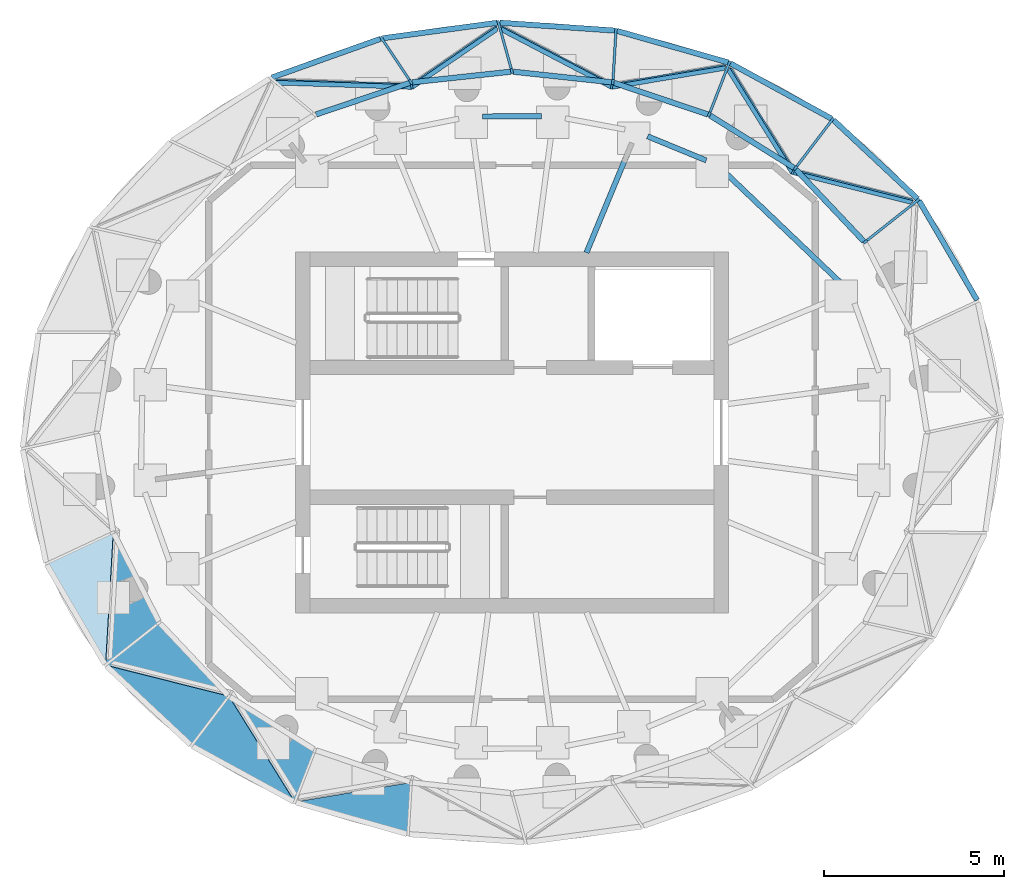
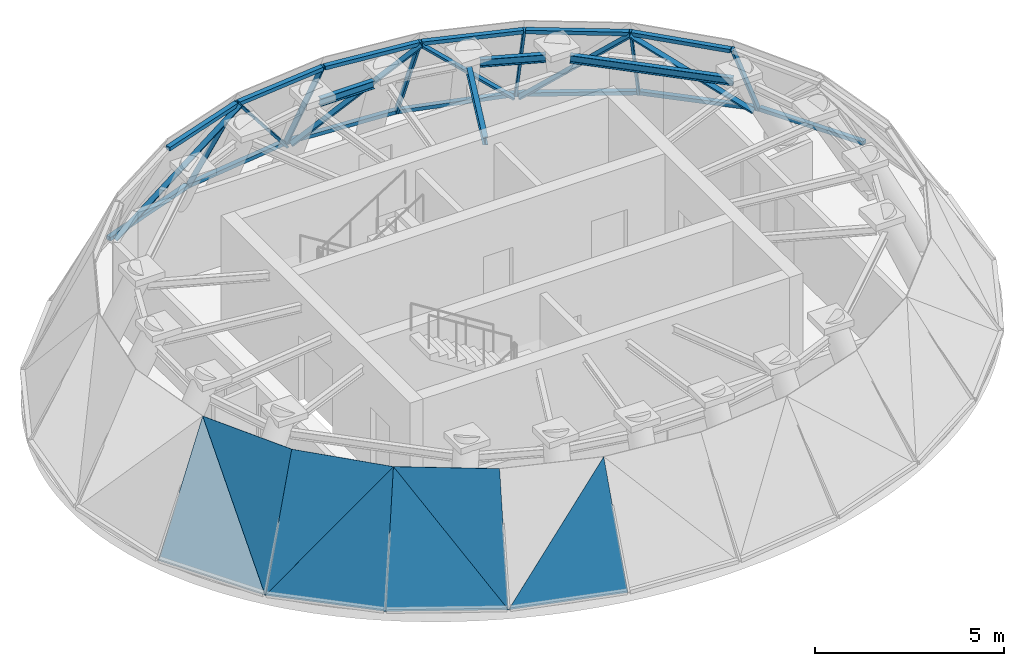
# One storey, part 4 of 8: 25 members, 7 plates, 4 beams, 20 elements without a shape of their own.
"""IFC4 building model written with IfcOpenShell, lengths in metres."""

from ifc_helpers import new_model, si_unit, direction, frame, origin, origin_2d, place, context, subcontext, project, spatial, line, indexed_curve, rectangle, i_section, outline, extrude, source, transform, mapped, material, layer, layer_set, material_profile, profile_set, type_object, element, aggregate, save


model = new_model("IFC4")

# Units and contexts
model_context = context("Model", 3, precision=1e-05, world=origin(), true_north=direction((0.0, 1.0)))
body_context = subcontext(model_context, "Body", "Model", "MODEL_VIEW")
ifc_project = project(units=[si_unit("LENGTHUNIT", "METRE"), si_unit("AREAUNIT", "SQUARE_METRE"), si_unit("VOLUMEUNIT", "CUBIC_METRE"), si_unit("PLANEANGLEUNIT", "RADIAN"), si_unit("MASSUNIT", "GRAM", prefix="KILO")], contexts=[model_context])

# Site, building, storey
site_placement = place(None, origin())
site = spatial("IfcSite", under=ifc_project, at=site_placement, CompositionType="ELEMENT")
building_placement = place(site_placement, origin())
building = spatial("IfcBuilding", under=site, at=building_placement, Name="Spindrift Exchange Tower", CompositionType="ELEMENT")
storey_placement = place(building_placement, frame((0.0, 0.0, 283.60009765625)))
storey = spatial("IfcBuildingStorey", under=building, at=storey_placement, Name="L70", CompositionType="ELEMENT", Elevation=283.60009765625)

# Beams
ifc_material_1 = material(Name="Steel Grade 300", Category="steel")
ifc_material_profile_1 = material_profile(ifc_material_1, i_section(OverallWidth=0.14599609375, OverallDepth=0.251953125, WebThickness=0.006103515625, FlangeThickness=0.008544921875, FilletRadius=0.011962890625, at=origin_2d()), Name="250UB31.4")
ifc_profile_set_1 = profile_set([ifc_material_profile_1], Name="Steel Grade 300")
beam_type_1 = type_object("IfcBeamType", Name="Floor Beam 250UB31.4 Steel Grade 300", PredefinedType="BEAM", material=ifc_profile_set_1)
shared_shape_1 = source(origin(), body_context, "Body", "SweptSolid", [
    extrude(i_section(OverallWidth=0.14599609375, OverallDepth=0.251953125, WebThickness=0.006103515625, FlangeThickness=0.008544921875, FilletRadius=0.011962890625, at=origin_2d()), origin(), (0.0, 0.0, 1.0), 3.297119140625),
])
beam_1_placement = place(storey_placement, frame((54.0634765625, 52.9814453125, 3.093994140625), z_axis=(0.38267441848, 0.923883266133, 0.0), x_axis=(-0.923883266133, 0.38267441848, 0.0)))
element("IfcBeam", 1, at=beam_1_placement, inside=storey, type_object=beam_type_1, Name="L70 radial beam R05A", PredefinedType="BEAM", context=body_context, shape_type="MappedRepresentation", body=[
    mapped(shared_shape_1, transform((0.0, 0.0, 0.0), scale=1.0)),
])
ifc_material_profile_2 = material_profile(ifc_material_1, i_section(OverallWidth=0.14599609375, OverallDepth=0.251953125, WebThickness=0.006103515625, FlangeThickness=0.008544921875, FilletRadius=0.011962890625, at=origin_2d()), Name="250UB31.4")
ifc_profile_set_2 = profile_set([ifc_material_profile_2], Name="Steel Grade 300")
beam_type_2 = type_object("IfcBeamType", Name="Edge Beam 250UB31.4 Steel Grade 300", PredefinedType="SPANDREL", material=ifc_profile_set_2)
shared_shape_2 = source(origin(), body_context, "Body", "SweptSolid", [
    extrude(i_section(OverallWidth=0.14599609375, OverallDepth=0.251953125, WebThickness=0.006103515625, FlangeThickness=0.008544921875, FilletRadius=0.011962890625, at=origin_2d()), origin(), (0.0, 0.0, 1.0), 4.44677734375),
])
beam_2_placement = place(storey_placement, frame((61.14306640625, 52.114013671875, 3.093994140625), z_axis=(-0.723331861731, 0.690500555977, 0.0), x_axis=(-0.690500555977, -0.723331861731, 0.0)))
element("IfcBeam", 2, at=beam_2_placement, inside=storey, type_object=beam_type_2, Name="L70 edge beam E02", PredefinedType="SPANDREL", context=body_context, shape_type="MappedRepresentation", body=[
    mapped(shared_shape_2, transform((0.0, 0.0, 0.0), scale=1.0)),
])
shared_shape_3 = source(origin(), body_context, "Body", "SweptSolid", [
    extrude(i_section(OverallWidth=0.14599609375, OverallDepth=0.251953125, WebThickness=0.006103515625, FlangeThickness=0.008544921875, FilletRadius=0.011962890625, at=origin_2d()), origin(), (0.0, 0.0, 1.0), 1.75830078125),
])
beam_3_placement = place(storey_placement, frame((57.382568359375, 55.5380859375, 3.093994140625), z_axis=(-0.924793086423, 0.380470428949, 0.0), x_axis=(-0.380470428949, -0.924793086423, 0.0)))
element("IfcBeam", 3, at=beam_3_placement, inside=storey, type_object=beam_type_2, Name="L70 edge beam E04", PredefinedType="SPANDREL", context=body_context, shape_type="MappedRepresentation", body=[
    mapped(shared_shape_3, transform((0.0, 0.0, 0.0), scale=1.0)),
])
shared_shape_4 = source(origin(), body_context, "Body", "SweptSolid", [
    extrude(i_section(OverallWidth=0.14599609375, OverallDepth=0.251953125, WebThickness=0.006103515625, FlangeThickness=0.008544921875, FilletRadius=0.011962890625, at=origin_2d()), origin(), (0.0, 0.0, 1.0), 1.646728515625),
])
beam_4_placement = place(storey_placement, frame((52.823974609375, 56.764404296875, 3.093994140625), z_axis=(-0.999990108955, -0.004447695073, 0.0), x_axis=(0.004447695073, -0.999990108955, 0.0)))
element("IfcBeam", 4, at=beam_4_placement, inside=storey, type_object=beam_type_2, Name="L70 edge beam E06", PredefinedType="SPANDREL", context=body_context, shape_type="MappedRepresentation", body=[
    mapped(shared_shape_4, transform((0.0, 0.0, 0.0), scale=1.0)),
])

# Curtain wall, member
ifc_material_2 = material(Name="Fritted laminated glass with bronze frame", Category="glass")
ifc_layer_1 = layer(ifc_material_2, 0.14990234375)
ifc_layer_set_1 = layer_set([ifc_layer_1], Name="CROWN BRONZE RAKED GLAZED WALL")
curtain_wall_type = type_object("IfcCurtainWallType", Name="CROWN BRONZE RAKED GLAZED WALL", PredefinedType="NOTDEFINED", material=ifc_layer_set_1)
curtain_wall_1_placement = place(storey_placement, origin())
curtain_wall_1 = element("IfcCurtainWall", 5, at=curtain_wall_1_placement, inside=storey, type_object=curtain_wall_type, Name="L70 Crown Bronze Raked Glazed Wall facet 3", PredefinedType="NOTDEFINED")
ifc_material_3 = material(Name="Bronze anodised aluminium", Category="aluminium")
ifc_material_profile_3 = material_profile(ifc_material_3, rectangle(XDim=0.14990234375, YDim=0.1201171875, at=origin_2d()), Name="CROWN BRONZE RAKED GLAZED WALL TRANSOM 150X120")
ifc_profile_set_3 = profile_set([ifc_material_profile_3], Name="Bronze anodised aluminium")
member_type_1 = type_object("IfcMemberType", Name="CROWN BRONZE RAKED GLAZED WALL TRANSOM 150X120", PredefinedType="USERDEFINED", material=ifc_profile_set_3)
shared_shape_5 = source(origin(), body_context, "Body", "SweptSolid", [
    extrude(rectangle(XDim=0.14990234375, YDim=0.1201171875, at=origin_2d()), origin(), (0.0, 0.0, 1.0), 3.1875),
])
member_1_placement = place(storey_placement, frame((63.281494140625, 54.4189453125, 0.059814453125), z_axis=(0.504356688365, -0.863495414522, 0.0), x_axis=(0.863495414522, 0.504356688365, 0.0)))
member_1 = element("IfcMember", 6, at=member_1_placement, type_object=member_type_1, Name="L70 transom CW-R.2a", ObjectType="TRANSOM", PredefinedType="USERDEFINED", context=body_context, shape_type="MappedRepresentation", body=[
    mapped(shared_shape_5, transform((0.0, 0.0, 0.0), scale=1.0)),
])
aggregate(curtain_wall_1, [member_1])

curtain_wall_2_placement = place(storey_placement, origin())
curtain_wall_2 = element("IfcCurtainWall", 7, at=curtain_wall_2_placement, inside=storey, type_object=curtain_wall_type, Name="L70 Crown Bronze Raked Glazed Wall facet 5", PredefinedType="NOTDEFINED")
shared_shape_6 = source(origin(), body_context, "Body", "SweptSolid", [
    extrude(rectangle(XDim=0.14990234375, YDim=0.1201171875, at=origin_2d()), origin(), (0.0, 0.0, 1.0), 3.1904296875),
])
member_2_placement = place(storey_placement, frame((63.23828125, 54.47314453125, 0.059814453125), z_axis=(-0.729802037527, 0.683658530278, 0.0), x_axis=(-0.683658530278, -0.729802037527, 0.0)))
member_2 = element("IfcMember", 8, at=member_2_placement, type_object=member_type_1, Name="L70 transom CW-R.3a", ObjectType="TRANSOM", PredefinedType="USERDEFINED", context=body_context, shape_type="MappedRepresentation", body=[
    mapped(shared_shape_6, transform((0.0, 0.0, 0.0), scale=1.0)),
])

curtain_wall_3_placement = place(storey_placement, origin())
curtain_wall_3 = element("IfcCurtainWall", 9, at=curtain_wall_3_placement, inside=storey, type_object=curtain_wall_type, Name="L70 Crown Bronze Raked Glazed Wall facet 7", PredefinedType="NOTDEFINED")
shared_shape_7 = source(origin(), body_context, "Body", "SweptSolid", [
    extrude(rectangle(XDim=0.14990234375, YDim=0.1201171875, at=origin_2d()), origin(), (0.0, 0.0, 1.0), 3.192626953125),
])
member_3_placement = place(storey_placement, frame((58.052490234375, 58.227294921875, 0.059814453125), z_axis=(0.877316308591, -0.479912590667, 0.0), x_axis=(0.479912590667, 0.877316308591, 0.0)))
member_3 = element("IfcMember", 10, at=member_3_placement, type_object=member_type_1, Name="L70 transom CW-R.4a", ObjectType="TRANSOM", PredefinedType="USERDEFINED", context=body_context, shape_type="MappedRepresentation", body=[
    mapped(shared_shape_7, transform((0.0, 0.0, 0.0), scale=1.0)),
])

curtain_wall_4_placement = place(storey_placement, origin())
curtain_wall_4 = element("IfcCurtainWall", 11, at=curtain_wall_4_placement, inside=storey, type_object=curtain_wall_type, Name="L70 Crown Bronze Raked Glazed Wall facet 9", PredefinedType="NOTDEFINED")
shared_shape_8 = source(origin(), body_context, "Body", "SweptSolid", [
    extrude(rectangle(XDim=0.14990234375, YDim=0.1201171875, at=origin_2d()), origin(), (0.0, 0.0, 1.0), 3.194091796875),
])
member_4_placement = place(storey_placement, frame((57.988037109375, 58.253662109375, 0.059814453125), z_axis=(-0.962092972566, 0.27272167523, 0.0), x_axis=(-0.27272167523, -0.962092972566, 0.0)))
member_4 = element("IfcMember", 12, at=member_4_placement, type_object=member_type_1, Name="L70 transom CW-R.5a", ObjectType="TRANSOM", PredefinedType="USERDEFINED", context=body_context, shape_type="MappedRepresentation", body=[
    mapped(shared_shape_8, transform((0.0, 0.0, 0.0), scale=1.0)),
])

curtain_wall_5_placement = place(storey_placement, origin())
curtain_wall_5 = element("IfcCurtainWall", 13, at=curtain_wall_5_placement, inside=storey, type_object=curtain_wall_type, Name="L70 Crown Bronze Raked Glazed Wall facet 15", PredefinedType="NOTDEFINED")
member_5_placement = place(storey_placement, frame((45.34716796875, 57.83544921875, 0.059814453125), z_axis=(0.941969958501, 0.335697180926, 0.0), x_axis=(-0.335697180926, 0.941969958501, 0.0)))
member_5 = element("IfcMember", 14, at=member_5_placement, type_object=member_type_1, Name="L70 transom CW-R.8a", ObjectType="TRANSOM", PredefinedType="USERDEFINED", context=body_context, shape_type="MappedRepresentation", body=[
    mapped(shared_shape_8, transform((0.0, 0.0, 0.0), scale=1.0)),
])

curtain_wall_6_placement = place(storey_placement, origin())
curtain_wall_6 = element("IfcCurtainWall", 15, at=curtain_wall_6_placement, inside=storey, type_object=curtain_wall_type, Name="L70 Crown Bronze Raked Glazed Wall facet 11", PredefinedType="NOTDEFINED")
shared_shape_9 = source(origin(), body_context, "Body", "SweptSolid", [
    extrude(rectangle(XDim=0.14990234375, YDim=0.1201171875, at=origin_2d()), origin(), (0.0, 0.0, 1.0), 3.19482421875),
])
member_6_placement = place(storey_placement, frame((51.6591796875, 59.3544921875, 0.059814453125), z_axis=(0.997668698763, -0.068243442972, 0.0), x_axis=(0.068243442972, 0.997668698763, 0.0)))
member_6 = element("IfcMember", 16, at=member_6_placement, type_object=member_type_1, Name="L70 transom CW-R.6a", ObjectType="TRANSOM", PredefinedType="USERDEFINED", context=body_context, shape_type="MappedRepresentation", body=[
    mapped(shared_shape_9, transform((0.0, 0.0, 0.0), scale=1.0)),
])

curtain_wall_7_placement = place(storey_placement, origin())
curtain_wall_7 = element("IfcCurtainWall", 17, at=curtain_wall_7_placement, inside=storey, type_object=curtain_wall_type, Name="L70 Crown Bronze Raked Glazed Wall facet 13", PredefinedType="NOTDEFINED")
member_7_placement = place(storey_placement, frame((51.589599609375, 59.35205078125, 0.059814453125), z_axis=(-0.990986673488, -0.133960490332, 0.0), x_axis=(0.133960490332, -0.990986673488, 0.0)))
member_7 = element("IfcMember", 18, at=member_7_placement, type_object=member_type_1, Name="L70 transom CW-R.7a", ObjectType="TRANSOM", PredefinedType="USERDEFINED", context=body_context, shape_type="MappedRepresentation", body=[
    mapped(shared_shape_9, transform((0.0, 0.0, 0.0), scale=1.0)),
])

# Curtain wall, members
curtain_wall_8_placement = place(storey_placement, origin())
curtain_wall_8 = element("IfcCurtainWall", 19, at=curtain_wall_8_placement, inside=storey, type_object=curtain_wall_type, Name="L70 Crown Bronze Raked Glazed Wall facet 6", PredefinedType="NOTDEFINED")
shared_shape_10 = source(origin(), body_context, "Body", "SweptSolid", [
    extrude(rectangle(XDim=0.14990234375, YDim=0.1201171875, at=origin_2d()), origin(), (0.0, 0.0, 1.0), 2.7392578125),
])
member_8_placement = place(storey_placement, frame((61.749755859375, 53.295166015625, 3.159912109375), z_axis=(-0.686631384207, 0.727005737406, 0.0), x_axis=(-0.727005737406, -0.686631384207, 0.0)))
member_8 = element("IfcMember", 20, at=member_8_placement, type_object=member_type_1, Name="L70 transom CW-R.3b", ObjectType="TRANSOM", PredefinedType="USERDEFINED", context=body_context, shape_type="MappedRepresentation", body=[
    mapped(shared_shape_10, transform((0.0, 0.0, 0.0), scale=1.0)),
])
ifc_material_profile_4 = material_profile(ifc_material_3, rectangle(XDim=0.070068359375, YDim=0.14990234375, at=origin_2d()), Name="CROWN BRONZE RAKED GLAZED WALL MULLION 70X150")
ifc_profile_set_4 = profile_set([ifc_material_profile_4], Name="Bronze anodised aluminium")
member_type_2 = type_object("IfcMemberType", Name="CROWN BRONZE RAKED GLAZED WALL MULLION 70X150", PredefinedType="MULLION", material=ifc_profile_set_4)
shared_shape_11 = source(origin(), body_context, "Body", "SweptSolid", [
    extrude(rectangle(XDim=0.070068359375, YDim=0.14990234375, at=origin_2d()), origin(), (0.0, 0.0, 1.0), 3.650390625),
])
member_9_placement = place(storey_placement, frame((63.24609375, 54.43505859375, 0.0380859375), z_axis=(-0.39853740003, -0.315405668492, 0.86121263638), x_axis=(0.620578227997, -0.78414454212, 0.0)))
member_9 = element("IfcMember", 21, at=member_9_placement, type_object=member_type_2, Name="L70 mullion CW-R.3", PredefinedType="MULLION", context=body_context, shape_type="MappedRepresentation", body=[
    mapped(shared_shape_11, transform((0.0, 0.0, 0.0), scale=1.0)),
])
aggregate(curtain_wall_8, [member_8, member_9])

# Member
shared_shape_12 = source(origin(), body_context, "Body", "SweptSolid", [
    extrude(rectangle(XDim=0.070068359375, YDim=0.14990234375, at=origin_2d()), origin(), (0.0, 0.0, 1.0), 4.611083984375),
])
member_10_placement = place(storey_placement, frame((63.063720703125, 54.3994140625, 0.055419921875), z_axis=(-0.716013641769, 0.180710978286, 0.674290743765), x_axis=(0.3424626982, -0.75076783375, 0.564860124409)))
member_10 = element("IfcMember", 22, at=member_10_placement, type_object=member_type_2, Name="L70 glazing bar CW-R.3", PredefinedType="MULLION", context=body_context, shape_type="MappedRepresentation", body=[
    mapped(shared_shape_12, transform((0.0, 0.0, 0.0), scale=1.0)),
])

aggregate(curtain_wall_2, [member_2, member_10])

# Curtain wall, member
curtain_wall_9_placement = place(storey_placement, origin())
curtain_wall_9 = element("IfcCurtainWall", 23, at=curtain_wall_9_placement, inside=storey, type_object=curtain_wall_type, Name="L70 Crown Bronze Raked Glazed Wall facet 8", PredefinedType="NOTDEFINED")
shared_shape_13 = source(origin(), body_context, "Body", "SweptSolid", [
    extrude(rectangle(XDim=0.14990234375, YDim=0.1201171875, at=origin_2d()), origin(), (0.0, 0.0, 1.0), 2.740966796875),
])
member_11_placement = place(storey_placement, frame((57.490234375, 56.7822265625, 3.159912109375), z_axis=(0.848233410833, -0.529622583305, 0.0), x_axis=(0.529622583305, 0.848233410833, 0.0)))
member_11 = element("IfcMember", 24, at=member_11_placement, type_object=member_type_1, Name="L70 transom CW-R.4b", ObjectType="TRANSOM", PredefinedType="USERDEFINED", context=body_context, shape_type="MappedRepresentation", body=[
    mapped(shared_shape_13, transform((0.0, 0.0, 0.0), scale=1.0)),
])

# Member
shared_shape_14 = source(origin(), body_context, "Body", "SweptSolid", [
    extrude(rectangle(XDim=0.070068359375, YDim=0.14990234375, at=origin_2d()), origin(), (0.0, 0.0, 1.0), 3.569091796875),
])
member_12_placement = place(storey_placement, frame((60.872802734375, 56.6630859375, 0.03515625), z_axis=(-0.28484315824, -0.374386792759, 0.882439178987), x_axis=(0.795845450479, -0.605499809208, 0.0)))
member_12 = element("IfcMember", 25, at=member_12_placement, type_object=member_type_2, Name="L70 mullion CW-R.4", PredefinedType="MULLION", context=body_context, shape_type="MappedRepresentation", body=[
    mapped(shared_shape_14, transform((0.0, 0.0, 0.0), scale=1.0)),
])

aggregate(curtain_wall_3, [member_3, member_12])

shared_shape_15 = source(origin(), body_context, "Body", "SweptSolid", [
    extrude(rectangle(XDim=0.070068359375, YDim=0.14990234375, at=origin_2d()), origin(), (0.0, 0.0, 1.0), 4.560302734375),
])
member_13_placement = place(storey_placement, frame((58.024658203125, 58.04638671875, 0.0546875), z_axis=(0.386102756809, -0.621072945334, 0.682050626976), x_axis=(0.794454765519, -0.151871829657, -0.588027697392)))
member_13 = element("IfcMember", 26, at=member_13_placement, type_object=member_type_2, Name="L70 glazing bar CW-R.4", PredefinedType="MULLION", context=body_context, shape_type="MappedRepresentation", body=[
    mapped(shared_shape_15, transform((0.0, 0.0, 0.0), scale=1.0)),
])

aggregate(curtain_wall_9, [member_11, member_13])

# Curtain wall, member
curtain_wall_10_placement = place(storey_placement, origin())
curtain_wall_10 = element("IfcCurtainWall", 27, at=curtain_wall_10_placement, inside=storey, type_object=curtain_wall_type, Name="L70 Crown Bronze Raked Glazed Wall facet 10", PredefinedType="NOTDEFINED")
shared_shape_16 = source(origin(), body_context, "Body", "SweptSolid", [
    extrude(rectangle(XDim=0.14990234375, YDim=0.1201171875, at=origin_2d()), origin(), (0.0, 0.0, 1.0), 2.7421875),
])
member_14_placement = place(storey_placement, frame((57.427490234375, 56.81201171875, 3.159912109375), z_axis=(-0.947510486601, 0.319724690602, 0.0), x_axis=(-0.319724690602, -0.947510486601, 0.0)))
member_14 = element("IfcMember", 28, at=member_14_placement, type_object=member_type_1, Name="L70 transom CW-R.5b", ObjectType="TRANSOM", PredefinedType="USERDEFINED", context=body_context, shape_type="MappedRepresentation", body=[
    mapped(shared_shape_16, transform((0.0, 0.0, 0.0), scale=1.0)),
])

curtain_wall_11_placement = place(storey_placement, origin())
curtain_wall_11 = element("IfcCurtainWall", 29, at=curtain_wall_11_placement, inside=storey, type_object=curtain_wall_type, Name="L70 Crown Bronze Raked Glazed Wall facet 12", PredefinedType="NOTDEFINED")
member_15_placement = place(storey_placement, frame((52.034912109375, 57.996337890625, 3.159912109375), z_axis=(0.994286227909, -0.106746882814, 0.0), x_axis=(0.106746882814, 0.994286227909, 0.0)))
member_15 = element("IfcMember", 30, at=member_15_placement, type_object=member_type_1, Name="L70 transom CW-R.6b", ObjectType="TRANSOM", PredefinedType="USERDEFINED", context=body_context, shape_type="MappedRepresentation", body=[
    mapped(shared_shape_16, transform((0.0, 0.0, 0.0), scale=1.0)),
])

curtain_wall_12_placement = place(storey_placement, origin())
curtain_wall_12 = element("IfcCurtainWall", 31, at=curtain_wall_12_placement, inside=storey, type_object=curtain_wall_type, Name="L70 Crown Bronze Raked Glazed Wall facet 14", PredefinedType="NOTDEFINED")
member_16_placement = place(storey_placement, frame((51.965087890625, 57.996337890625, 3.159912109375), z_axis=(-0.994286227909, -0.106746882814, 0.0), x_axis=(0.106746882814, -0.994286227909, 0.0)))
member_16 = element("IfcMember", 32, at=member_16_placement, type_object=member_type_1, Name="L70 transom CW-R.7b", ObjectType="TRANSOM", PredefinedType="USERDEFINED", context=body_context, shape_type="MappedRepresentation", body=[
    mapped(shared_shape_16, transform((0.0, 0.0, 0.0), scale=1.0)),
])

curtain_wall_13_placement = place(storey_placement, origin())
curtain_wall_13 = element("IfcCurtainWall", 33, at=curtain_wall_13_placement, inside=storey, type_object=curtain_wall_type, Name="L70 Crown Bronze Raked Glazed Wall facet 16", PredefinedType="NOTDEFINED")
member_17_placement = place(storey_placement, frame((46.572509765625, 56.81201171875, 3.159912109375), z_axis=(0.947510486601, 0.319724690602, 0.0), x_axis=(-0.319724690602, 0.947510486601, 0.0)))
member_17 = element("IfcMember", 34, at=member_17_placement, type_object=member_type_1, Name="L70 transom CW-R.8b", ObjectType="TRANSOM", PredefinedType="USERDEFINED", context=body_context, shape_type="MappedRepresentation", body=[
    mapped(shared_shape_16, transform((0.0, 0.0, 0.0), scale=1.0)),
])

# Member
shared_shape_17 = source(origin(), body_context, "Body", "SweptSolid", [
    extrude(rectangle(XDim=0.070068359375, YDim=0.14990234375, at=origin_2d()), origin(), (0.0, 0.0, 1.0), 3.5009765625),
])
member_18_placement = place(storey_placement, frame((58.01611328125, 58.2294921875, 0.032470703125), z_axis=(-0.157048162926, -0.403917832889, 0.901213769755), x_axis=(0.932028828528, -0.362384137059, 0.0)))
member_18 = element("IfcMember", 35, at=member_18_placement, type_object=member_type_2, Name="L70 mullion CW-R.5", PredefinedType="MULLION", context=body_context, shape_type="MappedRepresentation", body=[
    mapped(shared_shape_17, transform((0.0, 0.0, 0.0), scale=1.0)),
])

aggregate(curtain_wall_10, [member_14, member_18])

shared_shape_18 = source(origin(), body_context, "Body", "SweptSolid", [
    extrude(rectangle(XDim=0.070068359375, YDim=0.14990234375, at=origin_2d()), origin(), (0.0, 0.0, 1.0), 4.437744140625),
])
member_19_placement = place(storey_placement, frame((57.88427734375, 58.114990234375, 0.05322265625), z_axis=(-0.70269725044, -0.11855574843, 0.701541950804), x_axis=(0.663714105117, -0.464450925581, 0.586318108534)))
member_19 = element("IfcMember", 36, at=member_19_placement, type_object=member_type_2, Name="L70 glazing bar CW-R.5", PredefinedType="MULLION", context=body_context, shape_type="MappedRepresentation", body=[
    mapped(shared_shape_18, transform((0.0, 0.0, 0.0), scale=1.0)),
])

aggregate(curtain_wall_4, [member_4, member_19])

shared_shape_19 = source(origin(), body_context, "Body", "SweptSolid", [
    extrude(rectangle(XDim=0.070068359375, YDim=0.14990234375, at=origin_2d()), origin(), (0.0, 0.0, 1.0), 3.458984375),
])
member_20_placement = place(storey_placement, frame((54.880615234375, 59.12060546875, 0.030517578125), z_axis=(-0.024138887738, -0.406832014393, 0.913184004549), x_axis=(0.998244384453, -0.05922962864, 0.0)))
member_20 = element("IfcMember", 37, at=member_20_placement, type_object=member_type_2, Name="L70 mullion CW-R.6", PredefinedType="MULLION", context=body_context, shape_type="MappedRepresentation", body=[
    mapped(shared_shape_19, transform((0.0, 0.0, 0.0), scale=1.0)),
])

aggregate(curtain_wall_6, [member_6, member_20])

shared_shape_20 = source(origin(), body_context, "Body", "SweptSolid", [
    extrude(rectangle(XDim=0.070068359375, YDim=0.14990234375, at=origin_2d()), origin(), (0.0, 0.0, 1.0), 4.647216796875),
])
member_21_placement = place(storey_placement, frame((51.714599609375, 59.1865234375, 0.0556640625), z_axis=(0.65888872701, -0.344206581037, 0.668870297584), x_axis=(0.746142352211, 0.186058154687, -0.63926047376)))
member_21 = element("IfcMember", 38, at=member_21_placement, type_object=member_type_2, Name="L70 glazing bar CW-R.6", PredefinedType="MULLION", context=body_context, shape_type="MappedRepresentation", body=[
    mapped(shared_shape_20, transform((0.0, 0.0, 0.0), scale=1.0)),
])

aggregate(curtain_wall_11, [member_15, member_21])

shared_shape_21 = source(origin(), body_context, "Body", "SweptSolid", [
    extrude(rectangle(XDim=0.070068359375, YDim=0.14990234375, at=origin_2d()), origin(), (0.0, 0.0, 1.0), 3.448974609375),
])
member_22_placement = place(storey_placement, frame((51.627685546875, 59.343994140625, 0.02978515625), z_axis=(0.106960092311, -0.386004886414, 0.916274940352), x_axis=(0.963687352885, 0.267033117588, 0.0)))
member_22 = element("IfcMember", 39, at=member_22_placement, type_object=member_type_2, Name="L70 mullion CW-R.7", PredefinedType="MULLION", context=body_context, shape_type="MappedRepresentation", body=[
    mapped(shared_shape_21, transform((0.0, 0.0, 0.0), scale=1.0)),
])

aggregate(curtain_wall_12, [member_16, member_22])

shared_shape_22 = source(origin(), body_context, "Body", "SweptSolid", [
    extrude(rectangle(XDim=0.070068359375, YDim=0.14990234375, at=origin_2d()), origin(), (0.0, 0.0, 1.0), 4.21923828125),
])
member_23_placement = place(storey_placement, frame((51.566162109375, 59.189697265625, 0.05029296875), z_axis=(-0.555710675391, -0.380387544775, 0.739250269554), x_axis=(0.82189209659, -0.117436036057, 0.557406637024)))
member_23 = element("IfcMember", 40, at=member_23_placement, type_object=member_type_2, Name="L70 glazing bar CW-R.7", PredefinedType="MULLION", context=body_context, shape_type="MappedRepresentation", body=[
    mapped(shared_shape_22, transform((0.0, 0.0, 0.0), scale=1.0)),
])

aggregate(curtain_wall_7, [member_7, member_23])

shared_shape_23 = source(origin(), body_context, "Body", "SweptSolid", [
    extrude(rectangle(XDim=0.070068359375, YDim=0.14990234375, at=origin_2d()), origin(), (0.0, 0.0, 1.0), 3.4697265625),
])
member_24_placement = place(storey_placement, frame((48.39697265625, 58.90771484375, 0.031005859375), z_axis=(0.230220227479, -0.344697094872, 0.910045361313), x_axis=(0.831579932971, 0.555405090974, 0.0)))
member_24 = element("IfcMember", 41, at=member_24_placement, type_object=member_type_2, Name="L70 mullion CW-R.8", PredefinedType="MULLION", context=body_context, shape_type="MappedRepresentation", body=[
    mapped(shared_shape_23, transform((0.0, 0.0, 0.0), scale=1.0)),
])

aggregate(curtain_wall_5, [member_5, member_24])

shared_shape_24 = source(origin(), body_context, "Body", "SweptSolid", [
    extrude(rectangle(XDim=0.070068359375, YDim=0.14990234375, at=origin_2d()), origin(), (0.0, 0.0, 1.0), 4.869873046875),
])
member_25_placement = place(storey_placement, frame((45.479248046875, 57.7080078125, 0.0576171875), z_axis=(0.770058422114, -0.024465397786, 0.637504094766), x_axis=(0.568840516046, 0.478749056247, -0.668744950222)))
member_25 = element("IfcMember", 42, at=member_25_placement, type_object=member_type_2, Name="L70 glazing bar CW-R.8", PredefinedType="MULLION", context=body_context, shape_type="MappedRepresentation", body=[
    mapped(shared_shape_24, transform((0.0, 0.0, 0.0), scale=1.0)),
])

aggregate(curtain_wall_13, [member_17, member_25])

# Curtain wall, plate
curtain_wall_14_placement = place(storey_placement, origin())
curtain_wall_14 = element("IfcCurtainWall", 43, at=curtain_wall_14_placement, inside=storey, type_object=curtain_wall_type, Name="L70 Crown Bronze Raked Glazed Wall facet 27", PredefinedType="NOTDEFINED")
ifc_material_4 = material(Name="Bronze fritted laminated glass, close frit", Category="glass")
ifc_layer_2 = layer(ifc_material_4, 0.030029296875)
ifc_layer_set_2 = layer_set([ifc_layer_2], Name="CROWN BRONZE RAKED GLAZED WALL PANEL CLOSE FRIT 300")
plate_type_1 = type_object("IfcPlateType", Name="CROWN BRONZE RAKED GLAZED WALL PANEL CLOSE FRIT 300", PredefinedType="CURTAIN_PANEL", material=ifc_layer_set_2)
plate_1_placement = place(storey_placement, frame((40.736083984375, 41.55078125, 0.014892578125), z_axis=(-0.745184539992, -0.435235376235, 0.505242682906), x_axis=(-0.504341624055, 0.863504213218, 0.0)))
plate_1 = element("IfcPlate", 44, at=plate_1_placement, type_object=plate_type_1, Name="L70 panel CW-R.14a", PredefinedType="CURTAIN_PANEL", context=body_context, shape_type="SweptSolid", body=[
    extrude(outline(indexed_curve([(0.0, 0.0), (3.2578125, 0.0), (3.0703125, -4.0380859375)], segments=[line(1, 2, 3, 1)], self_intersect=False)), origin(), (0.0, 0.0, -1.0), 0.030029296875),
])
aggregate(curtain_wall_14, [plate_1])

curtain_wall_15_placement = place(storey_placement, origin())
curtain_wall_15 = element("IfcCurtainWall", 45, at=curtain_wall_15_placement, inside=storey, type_object=curtain_wall_type, Name="L70 Crown Bronze Raked Glazed Wall facet 28", PredefinedType="NOTDEFINED")
plate_2_placement = place(storey_placement, frame((40.736083984375, 41.55078125, 0.013916015625), z_axis=(-0.785453214008, -0.401009066203, 0.471439261652), x_axis=(0.042105729036, 0.725325318576, 0.687117377029)))
plate_2 = element("IfcPlate", 46, at=plate_2_placement, type_object=plate_type_1, Name="L70 panel CW-R.14b", PredefinedType="CURTAIN_PANEL", context=body_context, shape_type="SweptSolid", body=[
    extrude(outline(indexed_curve([(0.0, 0.0), (5.0732421875, 0.0), (3.3134765625, -2.1875)], segments=[line(1, 2, 3, 1)], self_intersect=False)), origin(), (0.0, 0.0, -1.0), 0.030029296875),
])
aggregate(curtain_wall_15, [plate_2])

curtain_wall_16_placement = place(storey_placement, origin())
curtain_wall_16 = element("IfcCurtainWall", 47, at=curtain_wall_16_placement, inside=storey, type_object=curtain_wall_type, Name="L70 Crown Bronze Raked Glazed Wall facet 29", PredefinedType="NOTDEFINED")
ifc_layer_3 = layer(ifc_material_4, 0.030029296875)
ifc_layer_set_3 = layer_set([ifc_layer_3], Name="CROWN BRONZE RAKED GLAZED WALL PANEL CLOSE FRIT 420")
plate_type_2 = type_object("IfcPlateType", Name="CROWN BRONZE RAKED GLAZED WALL PANEL CLOSE FRIT 420", PredefinedType="CURTAIN_PANEL", material=ifc_layer_set_3)
plate_3_placement = place(storey_placement, frame((40.736083984375, 41.55078125, 0.01318359375), z_axis=(-0.613946553326, -0.655436698277, 0.439854935417), x_axis=(0.729829019063, -0.683629726485, 0.0)))
plate_3 = element("IfcPlate", 48, at=plate_3_placement, type_object=plate_type_2, Name="L70 panel CW-R.15a", PredefinedType="CURTAIN_PANEL", context=body_context, shape_type="SweptSolid", body=[
    extrude(outline(indexed_curve([(0.0, 0.0), (3.2607421875, 0.0), (3.0849609375, 3.8828125)], segments=[line(1, 2, 3, 1)], self_intersect=False)), origin(), (0.0, 0.0, -1.0), 0.030029296875),
])
aggregate(curtain_wall_16, [plate_3])

curtain_wall_17_placement = place(storey_placement, origin())
curtain_wall_17 = element("IfcCurtainWall", 49, at=curtain_wall_17_placement, inside=storey, type_object=curtain_wall_type, Name="L70 Crown Bronze Raked Glazed Wall facet 30", PredefinedType="NOTDEFINED")
plate_4_placement = place(storey_placement, frame((40.736083984375, 41.55078125, 0.01416015625), z_axis=(-0.638838764286, -0.603402878257, 0.477273506238), x_axis=(0.689566502229, -0.174004142726, 0.703008248399)))
plate_4 = element("IfcPlate", 50, at=plate_4_placement, type_object=plate_type_2, Name="L70 panel CW-R.15b", PredefinedType="CURTAIN_PANEL", context=body_context, shape_type="SweptSolid", body=[
    extrude(outline(indexed_curve([(0.0, 0.0), (4.9580078125, 0.0), (3.2734375, 2.2470703125)], segments=[line(1, 2, 3, 1)], self_intersect=False)), origin(), (0.0, 0.0, -1.0), 0.030029296875),
])
aggregate(curtain_wall_17, [plate_4])

curtain_wall_18_placement = place(storey_placement, origin())
curtain_wall_18 = element("IfcCurtainWall", 51, at=curtain_wall_18_placement, inside=storey, type_object=curtain_wall_type, Name="L70 Crown Bronze Raked Glazed Wall facet 33", PredefinedType="NOTDEFINED")
plate_5_placement = place(storey_placement, frame((45.978271484375, 37.756103515625, 0.010986328125), z_axis=(-0.253076659336, -0.892603528664, 0.373110097848), x_axis=(0.962077995666, -0.272774504408, 0.0)))
plate_5 = element("IfcPlate", 52, at=plate_5_placement, type_object=plate_type_2, Name="L70 panel CW-R.17a", PredefinedType="CURTAIN_PANEL", context=body_context, shape_type="SweptSolid", body=[
    extrude(outline(indexed_curve([(0.0, 0.0), (3.2646484375, 0.0), (2.955078125, 3.7607421875)], segments=[line(1, 2, 3, 1)], self_intersect=False)), origin(), (0.0, 0.0, -1.0), 0.030029296875),
])
aggregate(curtain_wall_18, [plate_5])

curtain_wall_19_placement = place(storey_placement, origin())
curtain_wall_19 = element("IfcCurtainWall", 53, at=curtain_wall_19_placement, inside=storey, type_object=curtain_wall_type, Name="L70 Crown Bronze Raked Glazed Wall facet 31", PredefinedType="NOTDEFINED")
ifc_layer_4 = layer(ifc_material_4, 0.030029296875)
ifc_layer_set_4 = layer_set([ifc_layer_4], Name="CROWN BRONZE RAKED GLAZED WALL PANEL CLOSE FRIT 540")
plate_type_3 = type_object("IfcPlateType", Name="CROWN BRONZE RAKED GLAZED WALL PANEL CLOSE FRIT 540", PredefinedType="CURTAIN_PANEL", material=ifc_layer_set_4)
plate_6_placement = place(storey_placement, frame((45.978271484375, 37.756103515625, 0.012939453125), z_axis=(-0.431458104976, -0.788842395267, 0.437688906736), x_axis=(-0.877343083313, 0.479863641218, 0.0)))
plate_6 = element("IfcPlate", 54, at=plate_6_placement, type_object=plate_type_3, Name="L70 panel CW-R.16a", PredefinedType="CURTAIN_PANEL", context=body_context, shape_type="SweptSolid", body=[
    extrude(outline(indexed_curve([(0.0, 0.0), (3.2626953125, 0.0), (3.005859375, -3.8779296875)], segments=[line(1, 2, 3, 1)], self_intersect=False)), origin(), (0.0, 0.0, -1.0), 0.030029296875),
])
aggregate(curtain_wall_19, [plate_6])

curtain_wall_20_placement = place(storey_placement, origin())
curtain_wall_20 = element("IfcCurtainWall", 55, at=curtain_wall_20_placement, inside=storey, type_object=curtain_wall_type, Name="L70 Crown Bronze Raked Glazed Wall facet 32", PredefinedType="NOTDEFINED")
plate_7_placement = place(storey_placement, frame((45.978271484375, 37.756103515625, 0.011962890625), z_axis=(-0.48551412175, -0.777475467184, 0.399759847295), x_axis=(-0.371455514511, 0.597403143667, 0.710725182244)))
plate_7 = element("IfcPlate", 56, at=plate_7_placement, type_object=plate_type_3, Name="L70 panel CW-R.16b", PredefinedType="CURTAIN_PANEL", context=body_context, shape_type="SweptSolid", body=[
    extrude(outline(indexed_curve([(0.0, 0.0), (4.908203125, 0.0), (3.1328125, -2.1796875)], segments=[line(1, 2, 3, 1)], self_intersect=False)), origin(), (0.0, 0.0, -1.0), 0.030029296875),
])
aggregate(curtain_wall_20, [plate_7])

save(model, "model.ifc")
